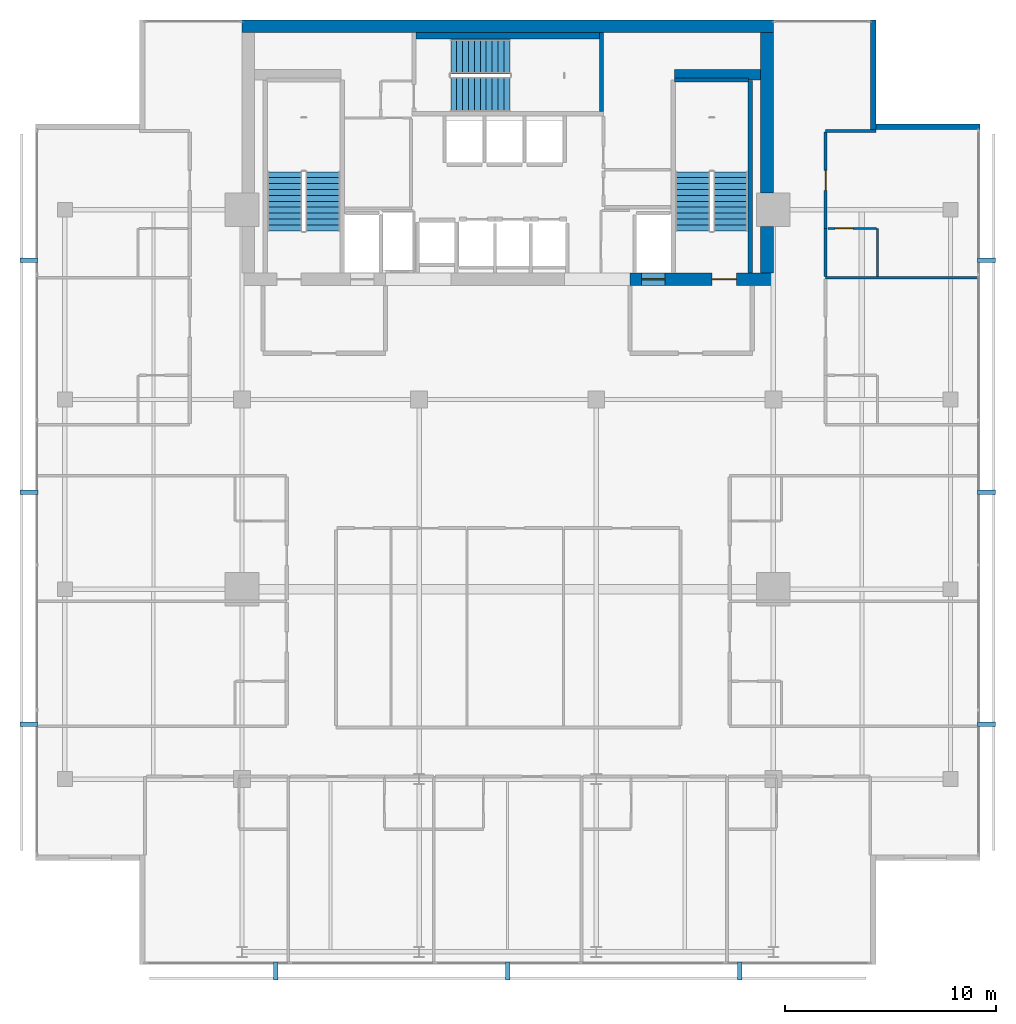
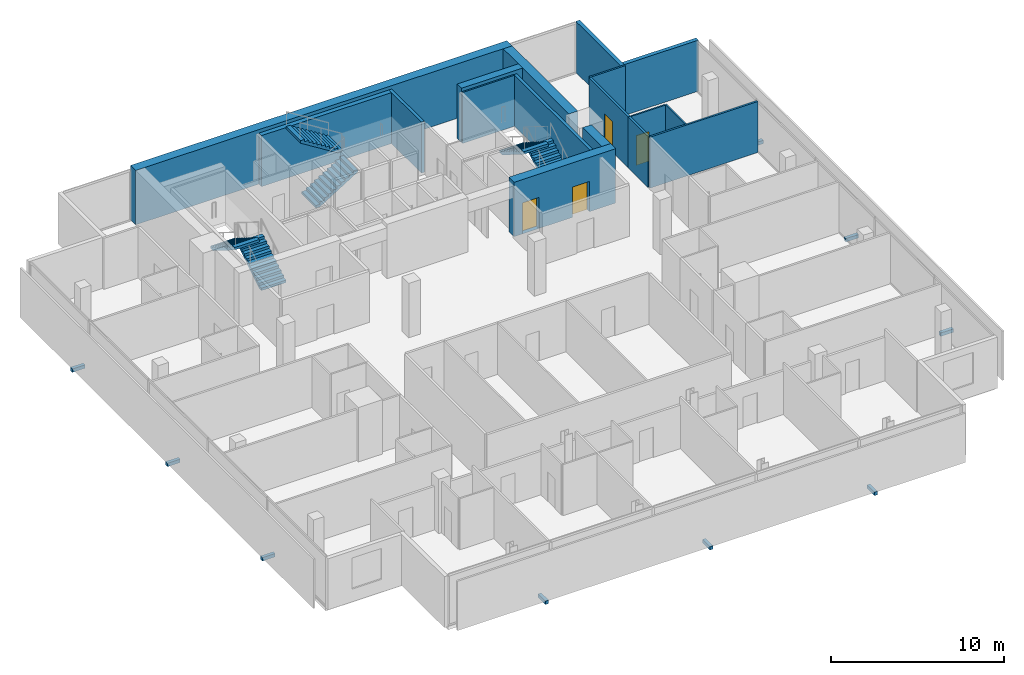
# One storey, part 23 of 25: 17 walls, 9 discrete accessories, 6 stair flights, 4 doors, 4 openings, 3 elements without a shape of their own.
"""IFC4 building model written with IfcOpenShell, lengths in metres."""

from ifc_helpers import new_model, si_unit, direction, frame, frame_2d, origin, origin_2d, place, context, subcontext, project, spatial, polyline, rectangle, outline, extrude, material, layer, layer_set, type_object, element, fill, aggregate, save


model = new_model("IFC4")

# Units and contexts
model_context = context("Model", 3, precision=1e-05, world=origin(), true_north=direction((0.0, 1.0)))
body_context = subcontext(model_context, "Body", "Model", "MODEL_VIEW")
ifc_project = project(units=[si_unit("LENGTHUNIT", "METRE"), si_unit("AREAUNIT", "SQUARE_METRE"), si_unit("VOLUMEUNIT", "CUBIC_METRE"), si_unit("PLANEANGLEUNIT", "RADIAN"), si_unit("MASSUNIT", "GRAM", prefix="KILO")], contexts=[model_context])

# Site, building, storey
site_placement = place(None, origin())
site = spatial("IfcSite", under=ifc_project, at=site_placement, CompositionType="ELEMENT")
building_placement = place(site_placement, origin())
building = spatial("IfcBuilding", under=site, at=building_placement, Name="Maruvema Waterfront Hotel and Observation Tower", CompositionType="ELEMENT")
storey_placement = place(building_placement, frame((0.0, 0.0, 262.5)))
storey = spatial("IfcBuildingStorey", under=building, at=storey_placement, Name="L64", CompositionType="ELEMENT", Elevation=262.5)

# Wall
ifc_material_1 = material(Name="Twin-stud acoustic gypsum drywall", Category="gypsum")
ifc_layer_1 = layer(ifc_material_1, 0.14990234375, Name="Acoustic Corridor and Suite Demising Wall 150 mm")
ifc_layer_set_1 = layer_set([ifc_layer_1], Name="Twin-stud acoustic gypsum drywall")
wall_type_1 = type_object("IfcWallType", Name="Acoustic Corridor and Suite Demising Wall 150 mm", PredefinedType="PARTITIONING", material=ifc_layer_set_1)
wall_1_placement = place(storey_placement, frame((52.8798828125, 41.82861328125, 0.0), z_axis=(0.0, 0.0, 1.0), x_axis=(0.0, 1.0, 0.0)))
element("IfcWall", 1, at=wall_1_placement, inside=storey, type_object=wall_type_1, Name="L64 Bath L64-NE2 Wall 097", PredefinedType="PARTITIONING", context=body_context, shape_type="SweptSolid", body=[
    extrude(rectangle(XDim=2.2900390625, YDim=0.14990234375, at=frame_2d((1.14501953125, 0.0))), origin(), (0.0, 0.0, 1.0), 3.610107421875),
])

# Wall, opening, door
wall_2_placement = place(storey_placement, frame((52.8798828125, 44.11865234375, 0.0), z_axis=(0.0, 0.0, 1.0), x_axis=(0.0, 1.0, 0.0)))
wall_2 = element("IfcWall", 2, at=wall_2_placement, inside=storey, type_object=wall_type_1, Name="L64 Room L64-NE2 Corridor Wall 098", PredefinedType="PARTITIONING", context=body_context, shape_type="SweptSolid", body=[
    extrude(rectangle(XDim=4.558837890625, YDim=0.14990234375, at=frame_2d((2.279296875, 0.0))), origin(), (0.0, 0.0, 1.0), 3.610107421875),
])
opening_1_placement = place(wall_2_placement, frame((1.804443359375, 0.0, 0.0)))
opening_1 = element("IfcOpeningElement", 3, at=opening_1_placement, cuts=wall_2, Name="Opening DR-095", PredefinedType="OPENING", context=body_context, shape_type="SweptSolid", body=[
    extrude(rectangle(XDim=0.949951171875, YDim=2.14990234375, at=frame_2d((0.47509765625, 1.074951171875))), frame((0.0, 0.0849609375, 0.0), z_axis=(0.0, -1.0, 0.0), x_axis=(1.0, 0.0, 0.0)), (0.0, 0.0, 1.0), 0.169921875),
])
ifc_material_2 = material(Name="Acoustic solid-core hardwood timber leaf", Category="wood")
door_type_1 = type_object("IfcDoorType", Name="Guestroom Entrance Fire Door 950x2150 mm", OperationType="NOTDEFINED", PredefinedType="DOOR", material=ifc_material_2)
door_1_placement = place(opening_1_placement, frame((0.949951171875, 0.0, 0.0), z_axis=(0.0, 0.0, 1.0), x_axis=(-1.0, 0.0, 0.0)))
door_1 = element("IfcDoor", 4, at=door_1_placement, inside=storey, type_object=door_type_1, Name="L64 Room L64-NE2 Entrance Door", OperationType="SINGLE_SWING_RIGHT", OverallHeight=2.14990234375, OverallWidth=0.949951171875, PredefinedType="DOOR", context=body_context, shape_type="SweptSolid", body=[
    extrude(rectangle(XDim=0.949951171875, YDim=2.14990234375, at=frame_2d((0.47509765625, 1.074951171875))), frame((0.0, 0.02490234375, 0.0), z_axis=(0.0, -1.0, 0.0), x_axis=(1.0, 0.0, 0.0)), (0.0, 0.0, 1.0), 0.050048828125),
])
fill(opening_1, door_1)

# Walls
ifc_material_3 = material(Name="Precast concrete C45/55", Category="concrete")
ifc_layer_2 = layer(ifc_material_3, 0.300048828125, Name="Core Shaft Furring Wall 300 mm")
ifc_layer_set_2 = layer_set([ifc_layer_2], Name="Precast concrete C45/55")
wall_type_2 = type_object("IfcWallType", Name="Core Shaft Furring Wall 300 mm", PredefinedType="SOLIDWALL", material=ifc_layer_set_2)
wall_3_placement = place(storey_placement, frame((33.449951171875, 53.25, 0.0), z_axis=(0.0, 0.0, 1.0), x_axis=(1.0, 0.0, 0.0)))
element("IfcWall", 5, at=wall_3_placement, inside=storey, type_object=wall_type_2, Name="L64 Stairwell ST-02 North Furring Wall", PredefinedType="SOLIDWALL", context=body_context, shape_type="SweptSolid", body=[
    extrude(rectangle(XDim=8.699951171875, YDim=0.300048828125, at=frame_2d((4.35009765625, 0.0))), origin(), (0.0, 0.0, 1.0), 3.610107421875),
])
ifc_material_4 = material(Name="Precast concrete C45/55", Category="concrete")
ifc_layer_3 = layer(ifc_material_4, 0.199951171875, Name="Core Shaft and Stairwell Enclosure Wall 200 mm")
ifc_layer_set_3 = layer_set([ifc_layer_3], Name="Precast concrete C45/55")
wall_type_3 = type_object("IfcWallType", Name="Core Shaft and Stairwell Enclosure Wall 200 mm", PredefinedType="SOLIDWALL", material=ifc_layer_set_3)
wall_4_placement = place(storey_placement, frame((42.25, 49.64990234375, 0.0), z_axis=(0.0, 0.0, 1.0), x_axis=(0.0, 1.0, 0.0)))
element("IfcWall", 6, at=wall_4_placement, inside=storey, type_object=wall_type_3, Name="L64 Stairwell ST-02 Shaft Wall", PredefinedType="SOLIDWALL", context=body_context, shape_type="SweptSolid", body=[
    extrude(rectangle(XDim=3.75, YDim=0.199951171875, at=frame_2d((1.875, 0.0))), origin(), (0.0, 0.0, 1.0), 3.610107421875),
])
wall_5_placement = place(storey_placement, frame((49.300048828125, 42.0, 0.0), z_axis=(0.0, 0.0, 1.0), x_axis=(0.0, 1.0, 0.0)))
element("IfcWall", 7, at=wall_5_placement, inside=storey, type_object=wall_type_3, Name="L64 Stairwell ST-03 Shaft Lining Wall", PredefinedType="SOLIDWALL", context=body_context, shape_type="SweptSolid", body=[
    extrude(rectangle(XDim=9.1201171875, YDim=0.199951171875, at=frame_2d((4.56005859375, 0.0))), origin(), (0.0, 0.0, 1.0), 3.610107421875),
])
wall_6_placement = place(storey_placement, frame((45.719970703125, 51.14990234375, 0.0), z_axis=(0.0, 0.0, 1.0), x_axis=(1.0, 0.0, 0.0)))
element("IfcWall", 8, at=wall_6_placement, inside=storey, type_object=wall_type_3, Name="L64 Stairwell ST-03 Shaft Lining Wall", PredefinedType="SOLIDWALL", context=body_context, shape_type="SweptSolid", body=[
    extrude(rectangle(XDim=3.5, YDim=0.199951171875, at=frame_2d((1.75, 0.0))), origin(), (0.0, 0.0, 1.0), 3.610107421875),
])
ifc_material_5 = material(Name="Concrete C70/85", Category="concrete")
ifc_layer_4 = layer(ifc_material_5, 0.5, Name="Core Shear Wall 500 mm")
ifc_layer_set_4 = layer_set([ifc_layer_4], Name="Concrete C70/85")
wall_type_4 = type_object("IfcWallType", Name="Core Shear Wall 500 mm", PredefinedType="SHEAR", material=ifc_layer_set_4)
wall_7_placement = place(storey_placement, frame((45.699951171875, 51.39990234375, 0.0), z_axis=(0.0, 0.0, 1.0), x_axis=(1.0, 0.0, 0.0)))
element("IfcWall", 9, at=wall_7_placement, inside=storey, type_object=wall_type_4, Name="L64 Internal Core Shear Wall NE 500 mm", PredefinedType="SHEAR", context=body_context, shape_type="SweptSolid", body=[
    extrude(rectangle(XDim=4.10009765625, YDim=0.5, at=frame_2d((2.050048828125, 0.0))), origin(), (0.0, 0.0, 1.0), 3.85009765625),
])
ifc_material_6 = material(Name="Concrete C60/75", Category="concrete")
ifc_layer_5 = layer(ifc_material_6, 0.60009765625, Name="Core Shear Wall 600 mm")
ifc_layer_set_5 = layer_set([ifc_layer_5], Name="Concrete C60/75")
wall_type_5 = type_object("IfcWallType", Name="Core Shear Wall 600 mm", PredefinedType="SHEAR", material=ifc_layer_set_5)
wall_8_placement = place(storey_placement, frame((25.199951171875, 53.699951171875, 0.0), z_axis=(0.0, 0.0, 1.0), x_axis=(1.0, 0.0, 0.0)))
element("IfcWall", 10, at=wall_8_placement, inside=storey, type_object=wall_type_5, Name="L64 North Core Shear Wall", PredefinedType="SHEAR", context=body_context, shape_type="SweptSolid", body=[
    extrude(rectangle(XDim=25.199951171875, YDim=0.60009765625, at=frame_2d((12.60009765625, 0.0))), origin(), (0.0, 0.0, 1.0), 3.85009765625),
])

# Wall, openings, doors
wall_9_placement = place(storey_placement, frame((43.60009765625, 41.699951171875, 0.0), z_axis=(0.0, 0.0, 1.0), x_axis=(1.0, 0.0, 0.0)))
wall_9 = element("IfcWall", 11, at=wall_9_placement, inside=storey, type_object=wall_type_5, Name="L64 South-East Core Shear Wall", PredefinedType="SHEAR", context=body_context, shape_type="SweptSolid", body=[
    extrude(rectangle(XDim=6.7998046875, YDim=0.60009765625, at=frame_2d((3.39990234375, 0.0))), origin(), (0.0, 0.0, 1.0), 3.85009765625),
])
opening_2_placement = place(wall_9_placement, frame((3.89990234375, 0.0, 0.0)))
opening_2 = element("IfcOpeningElement", 12, at=opening_2_placement, cuts=wall_9, Name="Opening SD-01", PredefinedType="OPENING", context=body_context, shape_type="SweptSolid", body=[
    extrude(rectangle(XDim=1.14990234375, YDim=2.14990234375, at=frame_2d((0.574951171875, 1.074951171875))), frame((0.0, 0.31005859375, 0.0), z_axis=(0.0, -1.0, 0.0), x_axis=(1.0, 0.0, 0.0)), (0.0, 0.0, 1.0), 0.6201171875),
])
opening_3_placement = place(wall_9_placement, frame((0.550048828125, 0.0, 0.0)))
opening_3 = element("IfcOpeningElement", 13, at=opening_3_placement, cuts=wall_9, Name="Opening LD-03", PredefinedType="OPENING", context=body_context, shape_type="SweptSolid", body=[
    extrude(rectangle(XDim=1.10009765625, YDim=2.199951171875, at=frame_2d((0.550048828125, 1.10009765625))), frame((0.0, 0.31005859375, 0.0), z_axis=(0.0, -1.0, 0.0), x_axis=(1.0, 0.0, 0.0)), (0.0, 0.0, 1.0), 0.6201171875),
])
ifc_material_7 = material(Name="Fire-rated galvanised steel leaf", Category="steel")
door_type_2 = type_object("IfcDoorType", Name="Exit Stair Fire Door 1150x2150 mm", OperationType="NOTDEFINED", PredefinedType="DOOR", material=ifc_material_7)
door_2_placement = place(opening_2_placement, origin())
door_2 = element("IfcDoor", 14, at=door_2_placement, inside=storey, type_object=door_type_2, Name="L64 Exit Stair ST-03 Fire Door", OperationType="SINGLE_SWING_RIGHT", OverallHeight=2.14990234375, OverallWidth=1.14990234375, PredefinedType="DOOR", context=body_context, shape_type="SweptSolid", body=[
    extrude(rectangle(XDim=1.14990234375, YDim=2.14990234375, at=frame_2d((0.574951171875, 1.074951171875))), frame((0.0, 0.02490234375, 0.0), z_axis=(0.0, -1.0, 0.0), x_axis=(1.0, 0.0, 0.0)), (0.0, 0.0, 1.0), 0.050048828125),
])
fill(opening_2, door_2)
ifc_material_8 = material(Name="Brushed stainless steel Grade 316", Category="steel")
door_type_3 = type_object("IfcDoorType", Name="Firefighting Lift Sliding Landing Door 1100x2200 mm", OperationType="SLIDING_TO_LEFT", PredefinedType="DOOR", material=ifc_material_8)
door_3_placement = place(opening_3_placement, frame((1.10009765625, 0.0, 0.0), z_axis=(0.0, 0.0, 1.0), x_axis=(-1.0, 0.0, 0.0)))
door_3 = element("IfcDoor", 15, at=door_3_placement, inside=storey, type_object=door_type_3, Name="L64 Firefighting Lift FL-02 Landing Door", OperationType="SLIDING_TO_LEFT", OverallHeight=2.199951171875, OverallWidth=1.10009765625, PredefinedType="DOOR", context=body_context, shape_type="SweptSolid", body=[
    extrude(rectangle(XDim=1.10009765625, YDim=2.199951171875, at=frame_2d((0.550048828125, 1.10009765625))), frame((0.0, 0.02490234375, 0.0), z_axis=(0.0, -1.0, 0.0), x_axis=(1.0, 0.0, 0.0)), (0.0, 0.0, 1.0), 0.050048828125),
])
fill(opening_3, door_3)

# Walls
wall_10_placement = place(storey_placement, frame((50.10009765625, 42.0, 0.0), z_axis=(0.0, 0.0, 1.0), x_axis=(0.0, 1.0, 0.0)))
element("IfcWall", 16, at=wall_10_placement, inside=storey, type_object=wall_type_5, Name="L64 East-South Core Shear Wall", PredefinedType="SHEAR", context=body_context, shape_type="SweptSolid", body=[
    extrude(rectangle(XDim=2.199951171875, YDim=0.60009765625, at=frame_2d((1.10009765625, 0.0))), origin(), (0.0, 0.0, 1.0), 3.85009765625),
])
wall_11_placement = place(storey_placement, frame((50.10009765625, 45.800048828125, 0.0), z_axis=(0.0, 0.0, 1.0), x_axis=(0.0, 1.0, 0.0)))
element("IfcWall", 17, at=wall_11_placement, inside=storey, type_object=wall_type_5, Name="L64 East-North Core Shear Wall", PredefinedType="SHEAR", context=body_context, shape_type="SweptSolid", body=[
    extrude(rectangle(XDim=7.599853515625, YDim=0.60009765625, at=frame_2d((3.7998046875, 0.0))), origin(), (0.0, 0.0, 1.0), 3.85009765625),
])
ifc_material_9 = material(Name="Moisture-resistant cement-board drywall", Category="gypsum")
ifc_layer_6 = layer(ifc_material_9, 0.10009765625, Name="En-Suite Moisture-Resistant Partition 100 mm")
ifc_layer_set_6 = layer_set([ifc_layer_6], Name="Moisture-resistant cement-board drywall")
wall_type_6 = type_object("IfcWallType", Name="En-Suite Moisture-Resistant Partition 100 mm", PredefinedType="PARTITIONING", material=ifc_layer_set_6)
wall_12_placement = place(storey_placement, frame((55.330078125, 41.82861328125, 0.0), z_axis=(0.0, 0.0, 1.0), x_axis=(0.0, 1.0, 0.0)))
element("IfcWall", 18, at=wall_12_placement, inside=storey, type_object=wall_type_6, Name="L64 En-Suite L64-NE2 E 099", PredefinedType="PARTITIONING", context=body_context, shape_type="SweptSolid", body=[
    extrude(rectangle(XDim=2.2900390625, YDim=0.10009765625, at=frame_2d((1.14501953125, 0.0))), origin(), (0.0, 0.0, 1.0), 3.610107421875),
])

# Wall, opening, door
wall_13_placement = place(storey_placement, frame((52.97998046875, 44.11865234375, 0.0), z_axis=(0.0, 0.0, 1.0), x_axis=(1.0, 0.0, 0.0)))
wall_13 = element("IfcWall", 19, at=wall_13_placement, inside=storey, type_object=wall_type_6, Name="L64 En-Suite L64-NE2 N 100", PredefinedType="PARTITIONING", context=body_context, shape_type="SweptSolid", body=[
    extrude(rectangle(XDim=2.300048828125, YDim=0.10009765625, at=frame_2d((1.14990234375, 0.0))), origin(), (0.0, 0.0, 1.0), 3.610107421875),
])
opening_4_placement = place(wall_13_placement, frame((0.35009765625, 0.0, 0.0)))
opening_4 = element("IfcOpeningElement", 20, at=opening_4_placement, cuts=wall_13, Name="Opening DR-085", PredefinedType="OPENING", context=body_context, shape_type="SweptSolid", body=[
    extrude(rectangle(XDim=0.85009765625, YDim=2.10009765625, at=frame_2d((0.425048828125, 1.050048828125))), frame((0.0, 0.06005859375, 0.0), z_axis=(0.0, -1.0, 0.0), x_axis=(1.0, 0.0, 0.0)), (0.0, 0.0, 1.0), 0.1201171875),
])
ifc_material_10 = material(Name="Moisture-resistant solid timber leaf", Category="wood")
door_type_4 = type_object("IfcDoorType", Name="En-Suite Bathroom Door 850x2100 mm", OperationType="NOTDEFINED", PredefinedType="DOOR", material=ifc_material_10)
door_4_placement = place(opening_4_placement, origin())
door_4 = element("IfcDoor", 21, at=door_4_placement, inside=storey, type_object=door_type_4, Name="L64 En-Suite L64-NE2 Door", OperationType="SINGLE_SWING_LEFT", OverallHeight=2.10009765625, OverallWidth=0.85009765625, PredefinedType="DOOR", context=body_context, shape_type="SweptSolid", body=[
    extrude(rectangle(XDim=0.85009765625, YDim=2.10009765625, at=frame_2d((0.425048828125, 1.050048828125))), frame((0.0, 0.02490234375, 0.0), z_axis=(0.0, -1.0, 0.0), x_axis=(1.0, 0.0, 0.0)), (0.0, 0.0, 1.0), 0.050048828125),
])
fill(opening_4, door_4)

# Walls
ifc_material_11 = material(Name="Precast concrete C45/55 with honed Pernambuco granite facing", Category="masonry")
ifc_layer_7 = layer(ifc_material_11, 0.260009765625, Name="Exterior Granite Clad Spandrel and Pier Wall 260 mm")
ifc_layer_set_7 = layer_set([ifc_layer_7], Name="Precast concrete C45/55 with honed Pernambuco granite facing")
wall_type_7 = type_object("IfcWallType", Name="Exterior Granite Clad Spandrel and Pier Wall 260 mm", PredefinedType="SOLIDWALL", material=ifc_layer_set_7)
for number, where, z_axis, x_axis, name in (
    (22, (55.1298828125, 54.0, 0.0), (0.0, 0.0, 1.0), (0.0, -1.0, 0.0), "L64 Corner Notch Granite Pier Wall NE1"),
    (23, (55.0, 48.929931640625, 0.0), (0.0, 0.0, 1.0), (1.0, 0.0, 0.0), "L64 Corner Notch Granite Pier Wall NE2"),
):
    element("IfcWall", number, at=place(storey_placement, frame(where, z_axis=z_axis, x_axis=x_axis)), inside=storey, type_object=wall_type_7, Name=name, PredefinedType="SOLIDWALL", context=body_context, shape_type="SweptSolid", body=[
        extrude(rectangle(XDim=5.199951171875, YDim=0.260009765625, at=frame_2d((2.60009765625, 0.0))), origin(), (0.0, 0.0, 1.0), 3.610107421875),
    ])
ifc_material_12 = material(Name="Acoustic gypsum plasterboard drywall", Category="gypsum")
ifc_layer_8 = layer(ifc_material_12, 0.125, Name="Guestroom Acoustic Demising Wall 125 mm")
ifc_layer_set_8 = layer_set([ifc_layer_8], Name="Acoustic gypsum plasterboard drywall")
wall_type_8 = type_object("IfcWallType", Name="Guestroom Acoustic Demising Wall 125 mm", PredefinedType="PARTITIONING", material=ifc_layer_set_8)
wall_14_placement = place(storey_placement, frame((52.8798828125, 48.737548828125, 0.0), z_axis=(0.0, 0.0, 1.0), x_axis=(1.0, 0.0, 0.0)))
element("IfcWall", 24, at=wall_14_placement, inside=storey, type_object=wall_type_8, Name="L64 Z3 NE Top End 082", PredefinedType="PARTITIONING", context=body_context, shape_type="SweptSolid", body=[
    extrude(rectangle(XDim=2.380126953125, YDim=0.125, at=frame_2d((1.18994140625, 0.0))), origin(), (0.0, 0.0, 1.0), 3.610107421875),
])
wall_15_placement = place(storey_placement, frame((52.8798828125, 41.768798828125, 0.0), z_axis=(0.0, 0.0, 1.0), x_axis=(1.0, 0.0, 0.0)))
element("IfcWall", 25, at=wall_15_placement, inside=storey, type_object=wall_type_8, Name="L64 Z3 NE Demising 2 092", PredefinedType="PARTITIONING", context=body_context, shape_type="SweptSolid", body=[
    extrude(rectangle(XDim=7.22021484375, YDim=0.125, at=frame_2d((3.610107421875, 0.0))), origin(), (0.0, 0.0, 1.0), 3.610107421875),
])

# Stair, stair flights
ifc_material_13 = material(Name="Concrete C50/60", Category="concrete")
stair_type = type_object("IfcStairType", Name="Dogleg Exit Stair 1650 mm (22R x 175.0 mm)", PredefinedType="HALF_TURN_STAIR", material=ifc_material_13)
stair_1_placement = place(storey_placement, origin())
stair_1 = element("IfcStair", 26, at=stair_1_placement, inside=storey, type_object=stair_type, Name="L64 ST-01", PredefinedType="HALF_TURN_STAIR")
ifc_material_14 = material(Name="Concrete C50/60", Category="concrete")
stair_flight_type = type_object("IfcStairFlightType", Name="Reinforced Concrete Stair Flight 1650 mm (11R x 175.0 mm)", PredefinedType="STRAIGHT", material=ifc_material_14)
stair_flight_1_placement = place(storey_placement, frame((29.02490234375, 44.0, 0.0), z_axis=(0.0, 0.0, 1.0), x_axis=(0.0, 1.0, 0.0)))
stair_flight_1 = element("IfcStairFlight", 27, at=stair_flight_1_placement, type_object=stair_flight_type, Name="ST-01 flight 1", NumberOfRisers=11, NumberOfTreads=10, PredefinedType="STRAIGHT", RiserHeight=0.175, TreadLength=0.28, context=body_context, shape_type="SweptSolid", body=[
    extrude(outline(polyline([(0.0, 0.0), (0.0, 0.175048828125), (0.280029296875, 0.175048828125), (0.280029296875, 0.35009765625), (0.56005859375, 0.35009765625), (0.56005859375, 0.52490234375), (0.840087890625, 0.52490234375), (0.840087890625, 0.699951171875), (1.1201171875, 0.699951171875), (1.1201171875, 0.875), (1.39990234375, 0.875), (1.39990234375, 1.050048828125), (1.679931640625, 1.050048828125), (1.679931640625, 1.22509765625), (1.9599609375, 1.22509765625), (1.9599609375, 1.39990234375), (2.239990234375, 1.39990234375), (2.239990234375, 1.574951171875), (2.52001953125, 1.574951171875), (2.52001953125, 1.75), (2.800048828125, 1.75), (2.800048828125, 1.925048828125), (2.800048828125, 1.5732421875), (0.28271484375, 0.0), (0.0, 0.0)])), frame((0.0, 0.824951171875, 0.0), z_axis=(0.0, -1.0, 0.0), x_axis=(1.0, 0.0, 0.0)), (0.0, 0.0, 1.0), 1.64990234375),
])
stair_flight_2_placement = place(storey_placement, frame((27.22509765625, 46.800048828125, 1.925048828125), z_axis=(0.0, 0.0, 1.0), x_axis=(0.0, -1.0, 0.0)))
stair_flight_2 = element("IfcStairFlight", 28, at=stair_flight_2_placement, type_object=stair_flight_type, Name="ST-01 flight 2", NumberOfRisers=11, NumberOfTreads=10, PredefinedType="STRAIGHT", RiserHeight=0.175, TreadLength=0.28, context=body_context, shape_type="SweptSolid", body=[
    extrude(outline(polyline([(0.0, 0.0), (0.0, 0.175048828125), (0.280029296875, 0.175048828125), (0.280029296875, 0.35009765625), (0.56005859375, 0.35009765625), (0.56005859375, 0.52490234375), (0.840087890625, 0.52490234375), (0.840087890625, 0.699951171875), (1.1201171875, 0.699951171875), (1.1201171875, 0.875), (1.39990234375, 0.875), (1.39990234375, 1.050048828125), (1.679931640625, 1.050048828125), (1.679931640625, 1.22509765625), (1.9599609375, 1.22509765625), (1.9599609375, 1.39990234375), (2.239990234375, 1.39990234375), (2.239990234375, 1.574951171875), (2.52001953125, 1.574951171875), (2.52001953125, 1.75), (2.800048828125, 1.75), (2.800048828125, 1.925048828125), (2.800048828125, 1.5732421875), (0.28271484375, 0.0), (0.0, 0.0)])), frame((0.0, 0.824951171875, 0.0), z_axis=(0.0, -1.0, 0.0), x_axis=(1.0, 0.0, 0.0)), (0.0, 0.0, 1.0), 1.64990234375),
])
aggregate(stair_1, [stair_flight_1, stair_flight_2])

stair_2_placement = place(storey_placement, origin())
stair_2 = element("IfcStair", 29, at=stair_2_placement, inside=storey, type_object=stair_type, Name="L64 ST-02", PredefinedType="HALF_TURN_STAIR")
stair_flight_3_placement = place(storey_placement, frame((35.10009765625, 50.47509765625, 0.0), z_axis=(0.0, 0.0, 1.0), x_axis=(1.0, 0.0, 0.0)))
stair_flight_3 = element("IfcStairFlight", 30, at=stair_flight_3_placement, type_object=stair_flight_type, Name="ST-02 flight 1", NumberOfRisers=11, NumberOfTreads=10, PredefinedType="STRAIGHT", RiserHeight=0.175, TreadLength=0.28, context=body_context, shape_type="SweptSolid", body=[
    extrude(outline(polyline([(0.0, 0.0), (0.0, 0.175048828125), (0.280029296875, 0.175048828125), (0.280029296875, 0.35009765625), (0.56005859375, 0.35009765625), (0.56005859375, 0.52490234375), (0.840087890625, 0.52490234375), (0.840087890625, 0.699951171875), (1.1201171875, 0.699951171875), (1.1201171875, 0.875), (1.39990234375, 0.875), (1.39990234375, 1.050048828125), (1.679931640625, 1.050048828125), (1.679931640625, 1.22509765625), (1.9599609375, 1.22509765625), (1.9599609375, 1.39990234375), (2.239990234375, 1.39990234375), (2.239990234375, 1.574951171875), (2.52001953125, 1.574951171875), (2.52001953125, 1.75), (2.800048828125, 1.75), (2.800048828125, 1.925048828125), (2.800048828125, 1.5732421875), (0.28271484375, 0.0), (0.0, 0.0)])), frame((0.0, 0.824951171875, 0.0), z_axis=(0.0, -1.0, 0.0), x_axis=(1.0, 0.0, 0.0)), (0.0, 0.0, 1.0), 1.64990234375),
])
stair_flight_4_placement = place(storey_placement, frame((37.89990234375, 52.27490234375, 1.925048828125), z_axis=(0.0, 0.0, 1.0), x_axis=(-1.0, 0.0, 0.0)))
stair_flight_4 = element("IfcStairFlight", 31, at=stair_flight_4_placement, type_object=stair_flight_type, Name="ST-02 flight 2", NumberOfRisers=11, NumberOfTreads=10, PredefinedType="STRAIGHT", RiserHeight=0.175, TreadLength=0.28, context=body_context, shape_type="SweptSolid", body=[
    extrude(outline(polyline([(0.0, 0.0), (0.0, 0.175048828125), (0.280029296875, 0.175048828125), (0.280029296875, 0.35009765625), (0.56005859375, 0.35009765625), (0.56005859375, 0.52490234375), (0.840087890625, 0.52490234375), (0.840087890625, 0.699951171875), (1.1201171875, 0.699951171875), (1.1201171875, 0.875), (1.39990234375, 0.875), (1.39990234375, 1.050048828125), (1.679931640625, 1.050048828125), (1.679931640625, 1.22509765625), (1.9599609375, 1.22509765625), (1.9599609375, 1.39990234375), (2.239990234375, 1.39990234375), (2.239990234375, 1.574951171875), (2.52001953125, 1.574951171875), (2.52001953125, 1.75), (2.800048828125, 1.75), (2.800048828125, 1.925048828125), (2.800048828125, 1.5732421875), (0.28271484375, 0.0), (0.0, 0.0)])), frame((0.0, 0.824951171875, 0.0), z_axis=(0.0, -1.0, 0.0), x_axis=(1.0, 0.0, 0.0)), (0.0, 0.0, 1.0), 1.64990234375),
])
aggregate(stair_2, [stair_flight_3, stair_flight_4])

stair_3_placement = place(storey_placement, origin())
stair_3 = element("IfcStair", 32, at=stair_3_placement, inside=storey, type_object=stair_type, Name="L64 ST-03", PredefinedType="HALF_TURN_STAIR")
stair_flight_5_placement = place(storey_placement, frame((48.375, 44.0, 0.0), z_axis=(0.0, 0.0, 1.0), x_axis=(0.0, 1.0, 0.0)))
stair_flight_5 = element("IfcStairFlight", 33, at=stair_flight_5_placement, type_object=stair_flight_type, Name="ST-03 flight 1", NumberOfRisers=11, NumberOfTreads=10, PredefinedType="STRAIGHT", RiserHeight=0.175, TreadLength=0.28, context=body_context, shape_type="SweptSolid", body=[
    extrude(outline(polyline([(0.0, 0.0), (0.0, 0.175048828125), (0.280029296875, 0.175048828125), (0.280029296875, 0.35009765625), (0.56005859375, 0.35009765625), (0.56005859375, 0.52490234375), (0.840087890625, 0.52490234375), (0.840087890625, 0.699951171875), (1.1201171875, 0.699951171875), (1.1201171875, 0.875), (1.39990234375, 0.875), (1.39990234375, 1.050048828125), (1.679931640625, 1.050048828125), (1.679931640625, 1.22509765625), (1.9599609375, 1.22509765625), (1.9599609375, 1.39990234375), (2.239990234375, 1.39990234375), (2.239990234375, 1.574951171875), (2.52001953125, 1.574951171875), (2.52001953125, 1.75), (2.800048828125, 1.75), (2.800048828125, 1.925048828125), (2.800048828125, 1.5732421875), (0.28271484375, 0.0), (0.0, 0.0)])), frame((0.0, 0.824951171875, 0.0), z_axis=(0.0, -1.0, 0.0), x_axis=(1.0, 0.0, 0.0)), (0.0, 0.0, 1.0), 1.64990234375),
])
stair_flight_6_placement = place(storey_placement, frame((46.574951171875, 46.800048828125, 1.925048828125), z_axis=(0.0, 0.0, 1.0), x_axis=(0.0, -1.0, 0.0)))
stair_flight_6 = element("IfcStairFlight", 34, at=stair_flight_6_placement, type_object=stair_flight_type, Name="ST-03 flight 2", NumberOfRisers=11, NumberOfTreads=10, PredefinedType="STRAIGHT", RiserHeight=0.175, TreadLength=0.28, context=body_context, shape_type="SweptSolid", body=[
    extrude(outline(polyline([(0.0, 0.0), (0.0, 0.175048828125), (0.280029296875, 0.175048828125), (0.280029296875, 0.35009765625), (0.56005859375, 0.35009765625), (0.56005859375, 0.52490234375), (0.840087890625, 0.52490234375), (0.840087890625, 0.699951171875), (1.1201171875, 0.699951171875), (1.1201171875, 0.875), (1.39990234375, 0.875), (1.39990234375, 1.050048828125), (1.679931640625, 1.050048828125), (1.679931640625, 1.22509765625), (1.9599609375, 1.22509765625), (1.9599609375, 1.39990234375), (2.239990234375, 1.39990234375), (2.239990234375, 1.574951171875), (2.52001953125, 1.574951171875), (2.52001953125, 1.75), (2.800048828125, 1.75), (2.800048828125, 1.925048828125), (2.800048828125, 1.5732421875), (0.28271484375, 0.0), (0.0, 0.0)])), frame((0.0, 0.824951171875, 0.0), z_axis=(0.0, -1.0, 0.0), x_axis=(1.0, 0.0, 0.0)), (0.0, 0.0, 1.0), 1.64990234375),
])
aggregate(stair_3, [stair_flight_5, stair_flight_6])

# Discrete accessories
ifc_material_15 = material(Name="Duplex stainless steel Grade 2205", Category="steel")
discrete_accessory_type = type_object("IfcDiscreteAccessoryType", Name="Double-Skin Cavity Stainless Outrigger Bracket", PredefinedType="BRACKET", material=ifc_material_15)
for number, where, z_axis, x_axis, name in (
    (35, (26.7919921875, 8.89990234375, -0.14013671875), (0.0, 0.0, 1.0), (1.0, 0.0, 0.0), "L64 Outer Skin Support Bracket 1"),
    (36, (37.800048828125, 8.89990234375, -0.14013671875), (0.0, 0.0, 1.0), (1.0, 0.0, 0.0), "L64 Outer Skin Support Bracket 2"),
    (37, (48.80810546875, 8.89990234375, -0.14013671875), (0.0, 0.0, 1.0), (1.0, 0.0, 0.0), "L64 Outer Skin Support Bracket 3"),
    (38, (60.5, 20.592041015625, -0.14013671875), (0.0, 0.0, 1.0), (0.0, 1.0, 0.0), "L64 Outer Skin Support Bracket 1"),
    (39, (60.5, 31.60009765625, -0.14013671875), (0.0, 0.0, 1.0), (0.0, 1.0, 0.0), "L64 Outer Skin Support Bracket 2"),
    (40, (60.5, 42.60791015625, -0.14013671875), (0.0, 0.0, 1.0), (0.0, 1.0, 0.0), "L64 Outer Skin Support Bracket 3"),
    (41, (15.10009765625, 42.60791015625, -0.14013671875), (0.0, 0.0, 1.0), (0.0, -1.0, 0.0), "L64 Outer Skin Support Bracket 1"),
    (42, (15.10009765625, 31.60009765625, -0.14013671875), (0.0, 0.0, 1.0), (0.0, -1.0, 0.0), "L64 Outer Skin Support Bracket 2"),
    (43, (15.10009765625, 20.592041015625, -0.14013671875), (0.0, 0.0, 1.0), (0.0, -1.0, 0.0), "L64 Outer Skin Support Bracket 3"),
):
    element("IfcDiscreteAccessory", number, at=place(storey_placement, frame(where, z_axis=z_axis, x_axis=x_axis)), inside=storey, type_object=discrete_accessory_type, Name=name, PredefinedType="BRACKET", context=body_context, shape_type="SweptSolid", body=[
        extrude(rectangle(XDim=0.219970703125, YDim=0.860107421875, at=origin_2d()), origin(), (0.0, 0.0, 1.0), 0.239990234375),
    ])

save(model, "model.ifc")
